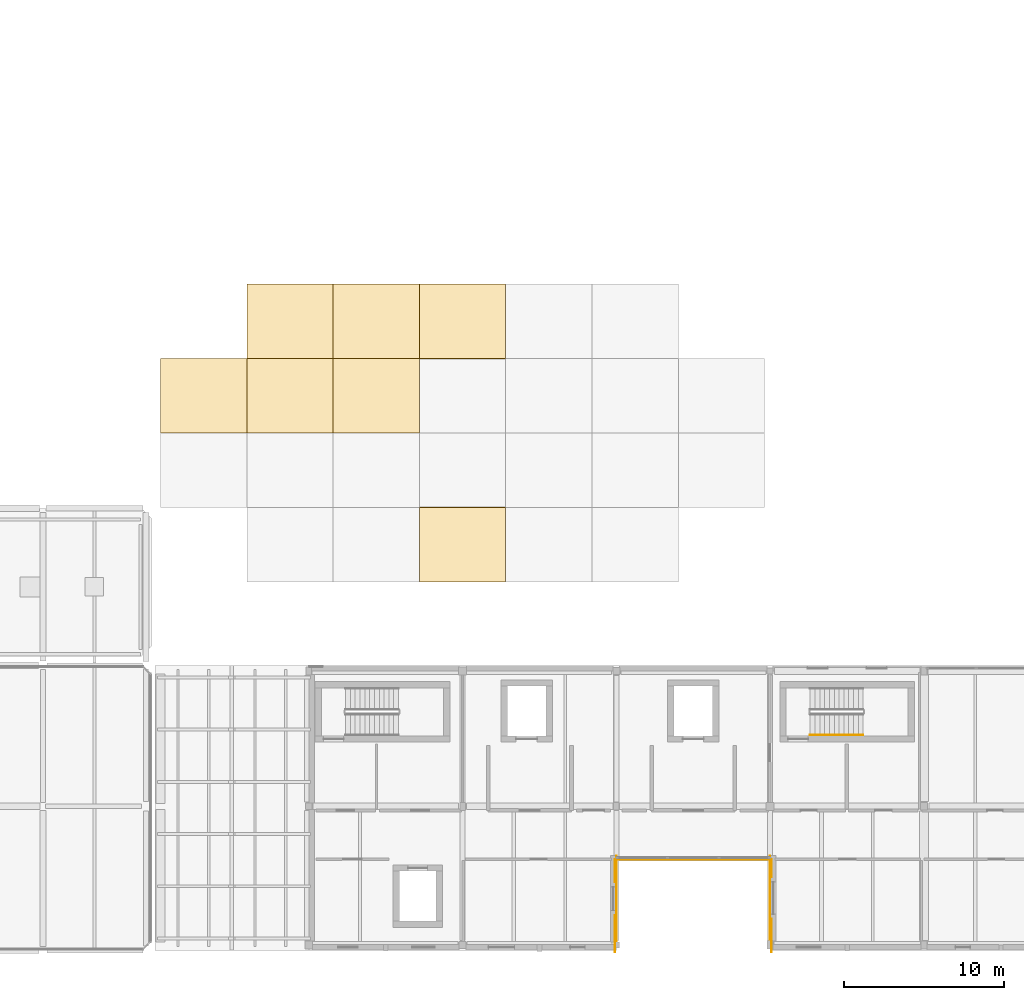
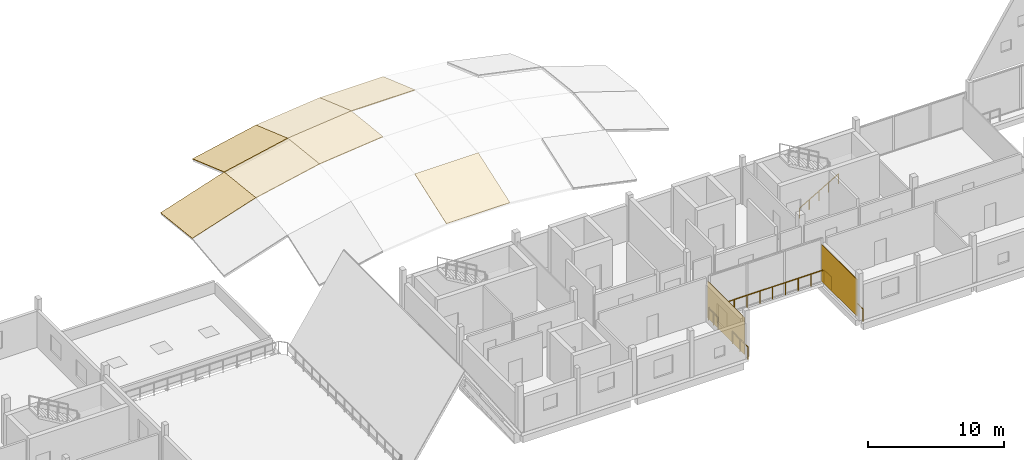
# One storey, part 29 of 35: 9 coverings, 6 railings.
"""IFC4 building model written with IfcOpenShell, lengths in metres."""

from ifc_helpers import new_model, si_unit, direction, frame, origin, origin_2d, place, context, subcontext, project, spatial, polyline, rectangle, circle, outline, extrude, material, layer, layer_set, type_object, element, save


model = new_model("IFC4")

# Units and contexts
model_context = context("Model", 3, precision=1e-05, world=origin(), true_north=direction((0.0, 1.0)))
body_context = subcontext(model_context, "Body", "Model", "MODEL_VIEW")
ifc_project = project(units=[si_unit("LENGTHUNIT", "METRE"), si_unit("AREAUNIT", "SQUARE_METRE"), si_unit("VOLUMEUNIT", "CUBIC_METRE"), si_unit("PLANEANGLEUNIT", "RADIAN"), si_unit("MASSUNIT", "GRAM", prefix="KILO")], contexts=[model_context])

# Site, building, storey
site_placement = place(None, origin())
site = spatial("IfcSite", under=ifc_project, at=site_placement, CompositionType="ELEMENT")
building_placement = place(site_placement, origin())
building = spatial("IfcBuilding", under=site, at=building_placement, Name="Birchvale Park Specialist Clinic", CompositionType="ELEMENT")
storey_placement = place(building_placement, frame((0.0, 0.0, 13.800048828125)))
storey = spatial("IfcBuildingStorey", under=building, at=storey_placement, Name="L03", CompositionType="ELEMENT", Elevation=13.800048828125)

# Coverings
ifc_material_1 = material(Name="Nordic larch vertical rainscreen cladding")
ifc_layer_1 = layer(ifc_material_1, 0.044921875)
ifc_layer_set_1 = layer_set([ifc_layer_1], Name="Nordic larch vertical rainscreen cladding")
covering_type_1 = type_object("IfcCoveringType", Name="COV-CL1", PredefinedType="CLADDING", material=ifc_layer_set_1)
covering_1_placement = place(storey_placement, frame((80.6025390625, 20.03759765625, 0.02001953125), z_axis=(0.0, 0.0, 1.0), x_axis=(0.0, 1.0, 0.0)))
element("IfcCovering", 1, at=covering_1_placement, inside=storey, type_object=covering_type_1, Name="V4 L03 Nordic larch cladding 17", PredefinedType="CLADDING", context=body_context, shape_type="SweptSolid", body=[
    extrude(rectangle(XDim=5.364990234375, YDim=0.044921875, at=origin_2d()), origin(), (0.0, 0.0, 1.0), 3.294921875),
])
covering_2_placement = place(storey_placement, frame((90.197509765625, 20.072509765625, 0.02001953125), z_axis=(0.0, 0.0, 1.0), x_axis=(0.0, -1.0, 0.0)))
element("IfcCovering", 2, at=covering_2_placement, inside=storey, type_object=covering_type_1, Name="V4 L03 Nordic larch cladding 18", PredefinedType="CLADDING", context=body_context, shape_type="SweptSolid", body=[
    extrude(rectangle(XDim=5.294921875, YDim=0.044921875, at=origin_2d()), origin(), (0.0, 0.0, 1.0), 3.294921875),
])
ifc_material_2 = material(Name="Standing-seam titanium-zinc roofing")
ifc_layer_2 = layer(ifc_material_2, 0.054931640625)
ifc_layer_set_2 = layer_set([ifc_layer_2], Name="Standing-seam titanium-zinc roofing")
covering_type_2 = type_object("IfcCoveringType", Name="COV-RF2", PredefinedType="ROOFING", material=ifc_layer_set_2)
covering_3_placement = place(storey_placement, frame((52.14990234375, 49.10009765625, 1.1181640625), z_axis=(-0.309438556385, 0.105343691669, 0.945066392614), x_axis=(0.950354284012, 0.0, 0.311169945304)))
element("IfcCovering", 3, at=covering_3_placement, inside=storey, type_object=covering_type_2, Name="V1 gridshell standing-seam covering 4", PredefinedType="ROOFING", context=body_context, shape_type="SweptSolid", body=[
    extrude(outline(polyline([(0.0, 0.0), (5.66708887212652, 0.0), (5.505806207604713, 4.67591975246992), (-0.16128266452180726, 4.67591975246992), (0.0, 0.0)])), origin(), (0.0, 0.0, -1.0), 0.054931640625),
])
covering_4_placement = place(storey_placement, frame((57.53564453125, 49.10009765625, 2.881591796875), z_axis=(-0.2062021301, 0.10837491707, 0.97248936184), x_axis=(0.978251222924, 2.336848e-06, 0.207423587958)))
element("IfcCovering", 4, at=covering_4_placement, inside=storey, type_object=covering_type_2, Name="V1 gridshell standing-seam covering 10", PredefinedType="ROOFING", context=body_context, shape_type="SweptSolid", body=[
    extrude(outline(polyline([(0.0, 0.0), (5.505454613914254, 1.3877787807814457e-17), (5.398006287245217, 4.677439411761525), (-0.10749896719344079, 4.677465295154352), (0.0, 0.0)])), origin(), (0.0, 0.0, -1.0), 0.054931640625),
])
covering_5_placement = place(storey_placement, frame((57.53564453125, 53.75, 2.36328125), z_axis=(-0.196105592745, 0.326093526643, 0.924773274038), x_axis=(0.978246670793, 0.0, 0.207445055574)))
element("IfcCovering", 5, at=covering_5_placement, inside=storey, type_object=covering_type_2, Name="V1 gridshell standing-seam covering 11", PredefinedType="ROOFING", context=body_context, shape_type="SweptSolid", body=[
    extrude(outline(polyline([(0.0, 0.0), (5.5055052557793625, 5.551115123125783e-17), (5.165368294539786, 4.918774812146482), (-0.340136961239576, 4.918774812146482), (0.0, 0.0)])), origin(), (0.0, 0.0, -1.0), 0.054931640625),
])
covering_6_placement = place(storey_placement, frame((62.92138671875, 49.10009765625, 4.0234375), z_axis=(-0.103089987277, 0.1101650093, 0.98855254046), x_axis=(0.994606371594, -2.455038e-06, 0.103721577211)))
element("IfcCovering", 6, at=covering_6_placement, inside=storey, type_object=covering_type_2, Name="V1 gridshell standing-seam covering 16", PredefinedType="ROOFING", context=body_context, shape_type="SweptSolid", body=[
    extrude(outline(polyline([(0.0, 0.0), (5.414960914677757, -1.3877787807814457e-17), (5.361189511585369, 4.678391417042948), (-0.05374608044170107, 4.678364666416218), (0.0, 0.0)])), origin(), (0.0, 0.0, -1.0), 0.054931640625),
])
covering_7_placement = place(storey_placement, frame((62.92138671875, 53.75, 3.50537109375), z_axis=(-0.097855218234, 0.330954712464, 0.938559180106), x_axis=(0.994608725176, 0.0, 0.103699005798)))
element("IfcCovering", 7, at=covering_7_placement, inside=storey, type_object=covering_type_2, Name="V1 gridshell standing-seam covering 17", PredefinedType="ROOFING", context=body_context, shape_type="SweptSolid", body=[
    extrude(outline(polyline([(0.0, 0.0), (5.4149355934377565, 0.0), (5.244905680610671, 4.9275885211482455), (-0.17002991282708546, 4.927588521148245), (0.0, 0.0)])), origin(), (0.0, 0.0, -1.0), 0.054931640625),
])
for number, where, z_axis, x_axis, name in (
    (8, (68.30712890625, 39.800048828125, 2.42724609375), (0.0, -0.33255073608, 0.943085366196), (1.0, 0.0, 0.0), "V1 gridshell standing-seam covering 20"),
    (9, (68.30712890625, 53.75, 4.06689453125), (0.0, 0.33255073608, 0.943085366196), (1.0, 0.0, 0.0), "V1 gridshell standing-seam covering 23"),
):
    element("IfcCovering", number, at=place(storey_placement, frame(where, z_axis=z_axis, x_axis=x_axis)), inside=storey, type_object=covering_type_2, Name=name, PredefinedType="ROOFING", context=body_context, shape_type="SweptSolid", body=[
        extrude(outline(polyline([(0.0, 0.0), (5.3857421875, 0.0), (5.3857421875, 4.930521149433185), (0.0, 4.930521149433185), (0.0, 0.0)])), origin(), (0.0, 0.0, -1.0), 0.054931640625),
    ])

# Railings
ifc_material_3 = material(Name="Brushed stainless steel and laminated glass balustrade", Category="steel")
railing_type_1 = type_object("IfcRailingType", Name="RL-BAL1", PredefinedType="BALUSTRADE", material=ifc_material_3)
railing_1_placement = place(storey_placement, frame((90.280029296875, 16.719970703125, 0.0)))
element("IfcRailing", 10, at=railing_1_placement, inside=storey, type_object=railing_type_1, Name="V4 L03 atrium void balustrade 29", PredefinedType="BALUSTRADE", context=body_context, shape_type="SweptSolid", body=[
    extrude(circle(Radius=0.02392578125, at=origin_2d()), frame((0.0, 0.0, 1.09619140625), z_axis=(0.0, 1.0, 0.0), x_axis=(-1.0, 0.0, 0.0)), (0.0, 0.0, 1.0), 2.032470703125),
    extrude(circle(Radius=0.02099609375, at=origin_2d()), origin(), (0.0, 0.0, 1.0), 1.072021484375),
    extrude(circle(Radius=0.02099609375, at=origin_2d()), frame((0.0, 1.01611328125, 0.0)), (0.0, 0.0, 1.0), 1.072021484375),
    extrude(circle(Radius=0.02099609375, at=origin_2d()), frame((0.0, 2.032470703125, 0.0)), (0.0, 0.0, 1.0), 1.072021484375),
])
railing_2_placement = place(storey_placement, frame((90.280029296875, 21.392578125, 0.0)))
element("IfcRailing", 11, at=railing_2_placement, inside=storey, type_object=railing_type_1, Name="V4 L03 atrium void balustrade 30", PredefinedType="BALUSTRADE", context=body_context, shape_type="SweptSolid", body=[
    extrude(circle(Radius=0.02392578125, at=origin_2d()), frame((0.0, 0.0, 1.09619140625), z_axis=(0.0, 1.0, 0.0), x_axis=(-1.0, 0.0, 0.0)), (0.0, 0.0, 1.0), 1.08740234375),
    extrude(circle(Radius=0.02099609375, at=origin_2d()), origin(), (0.0, 0.0, 1.0), 1.072021484375),
    extrude(circle(Radius=0.02099609375, at=origin_2d()), frame((0.0, 1.08740234375, 0.0)), (0.0, 0.0, 1.0), 1.072021484375),
])
railing_3_placement = place(storey_placement, frame((90.280029296875, 22.47998046875, 0.0)))
element("IfcRailing", 12, at=railing_3_placement, inside=storey, type_object=railing_type_1, Name="V4 L03 atrium void balustrade 31", PredefinedType="BALUSTRADE", context=body_context, shape_type="SweptSolid", body=[
    extrude(circle(Radius=0.02392578125, at=origin_2d()), frame((0.0, 0.0, 1.09619140625), z_axis=(-1.0, 0.0, 0.0), x_axis=(0.0, -1.0, 0.0)), (0.0, 0.0, 1.0), 9.760009765625),
    extrude(circle(Radius=0.02099609375, at=origin_2d()), origin(), (0.0, 0.0, 1.0), 1.072021484375),
    extrude(circle(Radius=0.02099609375, at=origin_2d()), frame((-1.08447265625, 0.0, 0.0)), (0.0, 0.0, 1.0), 1.072021484375),
    extrude(circle(Radius=0.02099609375, at=origin_2d()), frame((-2.1689453125, 0.0, 0.0)), (0.0, 0.0, 1.0), 1.072021484375),
    extrude(circle(Radius=0.02099609375, at=origin_2d()), frame((-3.25341796875, 0.0, 0.0)), (0.0, 0.0, 1.0), 1.072021484375),
    extrude(circle(Radius=0.02099609375, at=origin_2d()), frame((-4.337890625, 0.0, 0.0)), (0.0, 0.0, 1.0), 1.072021484375),
    extrude(circle(Radius=0.02099609375, at=origin_2d()), frame((-5.422119140625, 0.0, 0.0)), (0.0, 0.0, 1.0), 1.072021484375),
    extrude(circle(Radius=0.02099609375, at=origin_2d()), frame((-6.506591796875, 0.0, 0.0)), (0.0, 0.0, 1.0), 1.072021484375),
    extrude(circle(Radius=0.02099609375, at=origin_2d()), frame((-7.591064453125, 0.0, 0.0)), (0.0, 0.0, 1.0), 1.072021484375),
    extrude(circle(Radius=0.02099609375, at=origin_2d()), frame((-8.675537109375, 0.0, 0.0)), (0.0, 0.0, 1.0), 1.072021484375),
    extrude(circle(Radius=0.02099609375, at=origin_2d()), frame((-9.760009765625, 0.0, 0.0)), (0.0, 0.0, 1.0), 1.072021484375),
])
railing_4_placement = place(storey_placement, frame((80.52001953125, 22.47998046875, 0.0)))
element("IfcRailing", 13, at=railing_4_placement, inside=storey, type_object=railing_type_1, Name="V4 L03 atrium void balustrade 32", PredefinedType="BALUSTRADE", context=body_context, shape_type="SweptSolid", body=[
    extrude(circle(Radius=0.02392578125, at=origin_2d()), frame((0.0, 0.0, 1.09619140625), z_axis=(0.0, -1.0, 0.0), x_axis=(1.0, 0.0, 0.0)), (0.0, 0.0, 1.0), 1.3974609375),
    extrude(circle(Radius=0.02099609375, at=origin_2d()), origin(), (0.0, 0.0, 1.0), 1.072021484375),
    extrude(circle(Radius=0.02099609375, at=origin_2d()), frame((0.0, -0.69873046875, 0.0)), (0.0, 0.0, 1.0), 1.072021484375),
    extrude(circle(Radius=0.02099609375, at=origin_2d()), frame((0.0, -1.3974609375, 0.0)), (0.0, 0.0, 1.0), 1.072021484375),
])
railing_5_placement = place(storey_placement, frame((80.52001953125, 18.992431640625, 0.0)))
element("IfcRailing", 14, at=railing_5_placement, inside=storey, type_object=railing_type_1, Name="V4 L03 atrium void balustrade 33", PredefinedType="BALUSTRADE", context=body_context, shape_type="SweptSolid", body=[
    extrude(circle(Radius=0.02392578125, at=origin_2d()), frame((0.0, 0.0, 1.09619140625), z_axis=(0.0, -1.0, 0.0), x_axis=(1.0, 0.0, 0.0)), (0.0, 0.0, 1.0), 2.2724609375),
    extrude(circle(Radius=0.02099609375, at=origin_2d()), origin(), (0.0, 0.0, 1.0), 1.072021484375),
    extrude(circle(Radius=0.02099609375, at=origin_2d()), frame((0.0, -1.13623046875, 0.0)), (0.0, 0.0, 1.0), 1.072021484375),
    extrude(circle(Radius=0.02099609375, at=origin_2d()), frame((0.0, -2.2724609375, 0.0)), (0.0, 0.0, 1.0), 1.072021484375),
])
ifc_material_4 = material(Name="Anodised aluminium handrail", Category="aluminium")
railing_type_2 = type_object("IfcRailingType", Name="RL-HND1", PredefinedType="HANDRAIL", material=ifc_material_4)
railing_6_placement = place(storey_placement, frame((92.699951171875, 30.25, 0.175048828125)))
element("IfcRailing", 15, at=railing_6_placement, inside=storey, type_object=railing_type_2, Name="L03 ST5 stair handrail 1", PredefinedType="HANDRAIL", context=body_context, shape_type="SweptSolid", body=[
    extrude(circle(Radius=0.02392578125, at=origin_2d()), frame((0.0, 0.0, 0.8759765625), z_axis=(0.863804395585, 0.0, 0.503827317807), x_axis=(0.0, 1.0, 0.0)), (0.0, 0.0, 1.0), 3.8203125),
    extrude(circle(Radius=0.02099609375, at=origin_2d()), origin(), (0.0, 0.0, 1.0), 0.851806640625),
    extrude(circle(Radius=0.02099609375, at=origin_2d()), frame((0.824951171875, 0.0, 0.481201171875)), (0.0, 0.0, 1.0), 0.851806640625),
    extrude(circle(Radius=0.02099609375, at=origin_2d()), frame((1.64990234375, 0.0, 0.96240234375)), (0.0, 0.0, 1.0), 0.851806640625),
    extrude(circle(Radius=0.02099609375, at=origin_2d()), frame((2.47509765625, 0.0, 1.443603515625)), (0.0, 0.0, 1.0), 0.851806640625),
    extrude(circle(Radius=0.02099609375, at=origin_2d()), frame((3.300048828125, 0.0, 1.9248046875)), (0.0, 0.0, 1.0), 0.851806640625),
])

save(model, "model.ifc")
